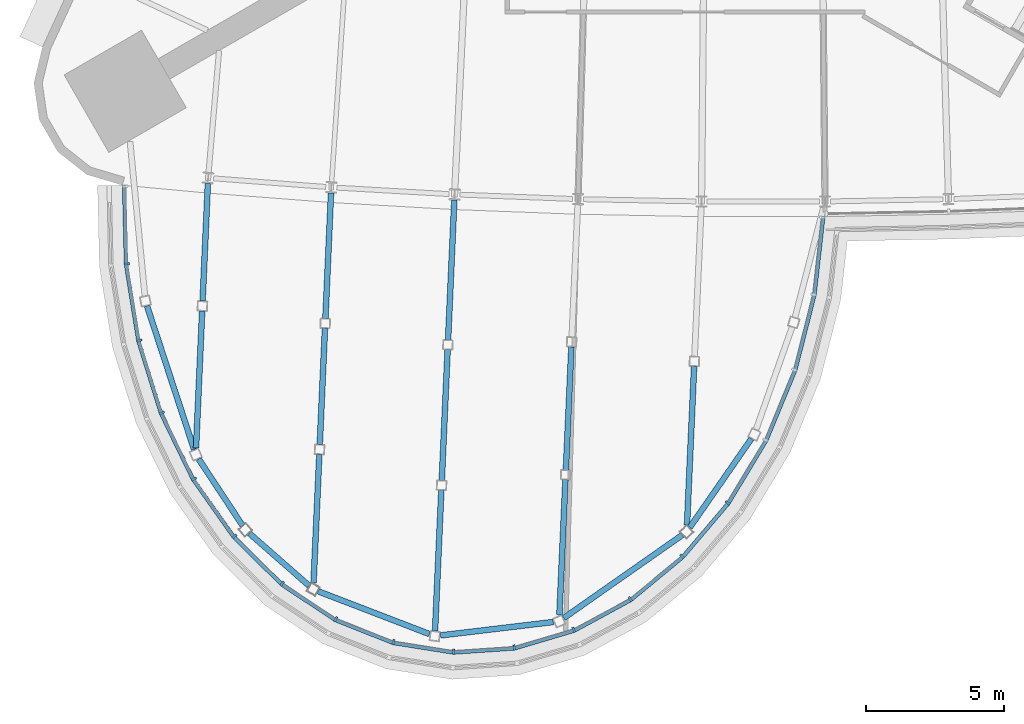
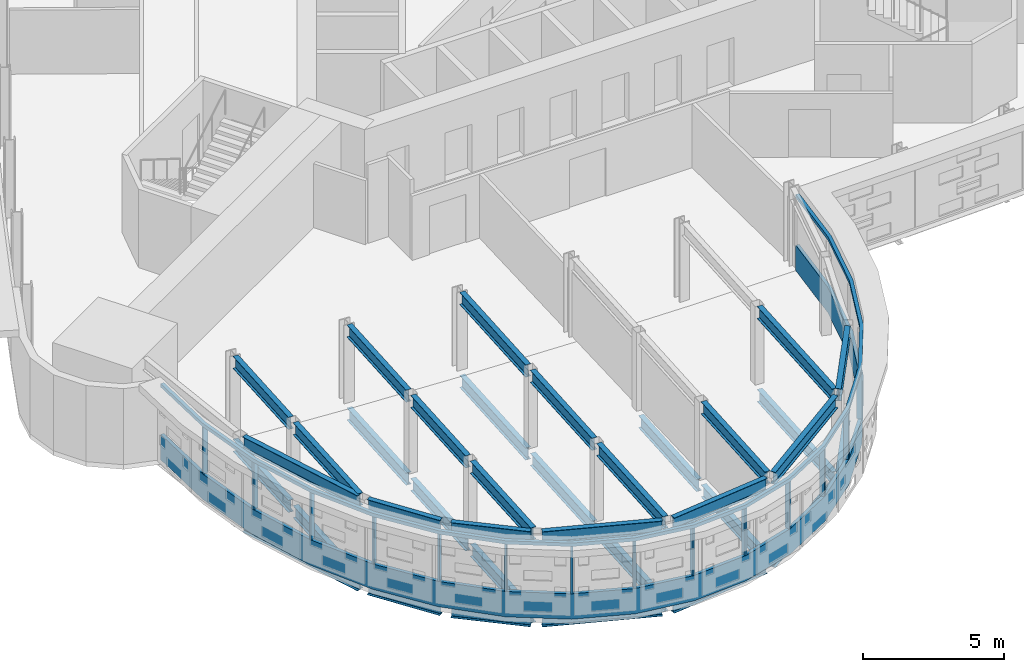
# One storey, part 3 of 16: 35 beams, 16 members, 1 element without a shape of its own.
"""IFC4 building model written with IfcOpenShell, lengths in metres."""

import ifcopenshell
import ifcopenshell.guid

model = None  # the IFC model being written
_history = None  # IfcOwnerHistory: only IFC2X3 demands one
_inside = {}  # id of a spatial element -> (the spatial element, [elements in it])
_under = {}  # id of a project, library or spatial element -> (it, [spatial elements below it])
_declared = {}  # id of a project -> (the project, [libraries it declares])
_typed = {}  # id of a type object -> (the type object, [elements of that type])
_made_of = {}  # id of a material, layer set ... -> (it, [elements and type objects made of it])


def new_model(schema):
    """Start an empty IFC model of exactly this schema.

    Asked for "IFC4X3", IfcOpenShell would pick the latest addendum, in which some entities
    have other attributes; the version numbers below select the first issue.
    IFC2X3 requires an IfcOwnerHistory on every rooted entity: one is made here for all.
    """
    global model, _history
    if schema == "IFC4X3":
        model = ifcopenshell.file(schema_version=(4, 3, 0, 0))
    else:
        model = ifcopenshell.file(schema=schema)
    _inside.clear()
    _under.clear()
    _declared.clear()
    _typed.clear()
    _made_of.clear()
    _history = None
    if model.schema == "IFC2X3":
        org = make("IfcOrganization", Name="unknown")
        user = make(
            "IfcPersonAndOrganization",
            ThePerson=make("IfcPerson", FamilyName="unknown"),
            TheOrganization=org,
        )
        app = make(
            "IfcApplication",
            ApplicationDeveloper=org,
            Version="unknown",
            ApplicationFullName="unknown",
            ApplicationIdentifier="unknown",
        )
        _history = make(
            "IfcOwnerHistory",
            OwningUser=user,
            OwningApplication=app,
            ChangeAction="ADDED",
            CreationDate=0,
        )
    return model


def make(cls, **values):
    """One entity of the class cls with the attributes given. An attribute that is None is left unset."""
    return model.create_entity(
        cls, **{name: value for name, value in values.items() if value is not None}
    )


def rooted(cls, **values):
    """An entity with a GlobalId (a new one), such as an element, a storey or a relation."""
    return make(cls, GlobalId=ifcopenshell.guid.new(), OwnerHistory=_history, **values)


def si_unit(unit_type, name, prefix=None):
    """IfcSIUnit, for example si_unit("LENGTHUNIT", "METRE", prefix="MILLI")."""
    return make("IfcSIUnit", UnitType=unit_type, Prefix=prefix, Name=name)


def assignment(units):
    """IfcUnitAssignment: the units of a project."""
    return None if units is None else make("IfcUnitAssignment", Units=units)


def point(xyz):
    """IfcCartesianPoint."""
    return None if xyz is None else make("IfcCartesianPoint", Coordinates=xyz)


def direction(xyz):
    """IfcDirection."""
    return None if xyz is None else make("IfcDirection", DirectionRatios=xyz)


def frame(location, z_axis=None, x_axis=None):
    """IfcAxis2Placement3D, a coordinate frame: its origin and axes. An axis left out is left unset."""
    return make(
        "IfcAxis2Placement3D",
        Location=point(location),
        Axis=direction(z_axis),
        RefDirection=direction(x_axis),
    )


def frame_2d(location, x_axis=None):
    """IfcAxis2Placement2D, a coordinate frame in the plane: its origin and x axis."""
    return make(
        "IfcAxis2Placement2D", Location=point(location), RefDirection=direction(x_axis)
    )


def origin():
    """The frame at (0, 0, 0) with its axes left unset."""
    return frame((0.0, 0.0, 0.0))


def origin_2d():
    """The frame at (0, 0) in the plane with its x axis left unset."""
    return frame_2d((0.0, 0.0))


def place(relative_to, where):
    """IfcLocalPlacement: puts the frame where relative to a parent placement (None: the world)."""
    return make(
        "IfcLocalPlacement", PlacementRelTo=relative_to, RelativePlacement=where
    )


def context(
    kind, dimensions, precision=None, world=None, true_north=None, identifier=None
):
    """IfcGeometricRepresentationContext, for example the 3D "Model" context."""
    return make(
        "IfcGeometricRepresentationContext",
        ContextIdentifier=identifier,
        ContextType=kind,
        CoordinateSpaceDimension=dimensions,
        Precision=precision,
        WorldCoordinateSystem=world,
        TrueNorth=true_north,
    )


def subcontext(parent, identifier, kind, view, scale=None):
    """IfcGeometricRepresentationSubContext, for example "Body" below "Model"."""
    return make(
        "IfcGeometricRepresentationSubContext",
        ContextIdentifier=identifier,
        ContextType=kind,
        ParentContext=parent,
        TargetScale=scale,
        TargetView=view,
    )


def project(units=None, contexts=None):
    """IfcProject with its units and contexts."""
    return rooted(
        "IfcProject",
        Name="project",
        RepresentationContexts=contexts,
        UnitsInContext=assignment(units),
    )


def spatial(cls, under=None, at=None, **own):
    """A site, building, storey or space (cls), placed at a placement, below another one or the project."""
    s = rooted(cls, ObjectPlacement=at, **own)
    if under is not None:
        _under.setdefault(under.id(), (under, []))[1].append(s)
    return s


def polyline(points):
    """IfcPolyline through the points."""
    return make("IfcPolyline", Points=[point(p) for p in points])


def profile(cls, at=None, kind="AREA", **sizes):
    """A parametric profile (cls). Its sizes go by their IFC names, for example OverallWidth=200.0."""
    return make(cls, ProfileType=kind, Position=at, **sizes)


def rectangle(**sizes):
    """IfcRectangleProfileDef."""
    return profile("IfcRectangleProfileDef", **sizes)


def i_section(**sizes):
    """IfcIShapeProfileDef."""
    return profile("IfcIShapeProfileDef", **sizes)


def outline(outer, holes=None, kind="AREA"):
    """IfcArbitraryClosedProfileDef: a profile drawn as a closed curve; with holes, ...WithVoids."""
    if holes is None:
        return make("IfcArbitraryClosedProfileDef", ProfileType=kind, OuterCurve=outer)
    return make(
        "IfcArbitraryProfileDefWithVoids",
        ProfileType=kind,
        OuterCurve=outer,
        InnerCurves=holes,
    )


def extrude(swept, where, along, depth):
    """IfcExtrudedAreaSolid: the profile swept, set in the frame where, extruded along a direction by depth."""
    return make(
        "IfcExtrudedAreaSolid",
        SweptArea=swept,
        Position=where,
        ExtrudedDirection=direction(along),
        Depth=depth,
    )


def shape(context_of_items, identifier, shape_type, items):
    """IfcShapeRepresentation: the items that make up one representation, for example the "Body"."""
    return make(
        "IfcShapeRepresentation",
        ContextOfItems=context_of_items,
        RepresentationIdentifier=identifier,
        RepresentationType=shape_type,
        Items=items,
    )


def material(Name=None, Category=None):
    """IfcMaterial."""
    return make("IfcMaterial", Name=Name, Category=Category)


def material_profile(
    of_material, cross_section, Name=None, Category=None, Priority=None
):
    """IfcMaterialProfile: a cross section and its material."""
    return make(
        "IfcMaterialProfile",
        Name=Name,
        Material=of_material,
        Profile=cross_section,
        Priority=Priority,
        Category=Category,
    )


def profile_set(profiles, Name=None, composite=None):
    """IfcMaterialProfileSet."""
    return make(
        "IfcMaterialProfileSet",
        Name=Name,
        MaterialProfiles=profiles,
        CompositeProfile=composite,
    )


def made_of(thing, what):
    """Note that an element or type object is made of a material, layer set ...; save() writes the relation."""
    if what is not None:
        _made_of.setdefault(what.id(), (what, []))[1].append(thing)
    return thing


def type_object(cls, material=None, **own):
    """A type object (cls), such as IfcWallType, which elements share."""
    return made_of(rooted(cls, **own), material)


def element(
    cls,
    number,
    at=None,
    inside=None,
    cuts=None,
    type_object=None,
    material=None,
    context=None,
    identifier="Body",
    shape_type=None,
    held_by="IfcProductDefinitionShape",
    body=None,
    shapes=None,
    **own,
):
    """One element of the class cls, such as IfcWall. Its Tag is "e" and its number.

    at: its placement. inside: the storey or other place that contains it. cuts: it is an
    opening in that element (IfcRelVoidsElement). A single representation is given by context,
    identifier, shape_type and body (its items); several are given by shapes. held_by: the class
    of the entity that holds the representations. save() writes the other relations.
    """
    e = rooted(cls, Tag="e%d" % number, ObjectPlacement=at, **own)
    if body is not None:
        shapes = [shape(context, identifier, shape_type, body)]
    if shapes is not None:
        e.Representation = make(held_by, Representations=shapes)
    if inside is not None:
        _inside.setdefault(inside.id(), (inside, []))[1].append(e)
    if cuts is not None:
        rooted(
            "IfcRelVoidsElement", RelatingBuildingElement=cuts, RelatedOpeningElement=e
        )
    if type_object is not None:
        _typed.setdefault(type_object.id(), (type_object, []))[1].append(e)
    return made_of(e, material)


def aggregate(whole, parts):
    """IfcRelAggregates: a whole, such as a stair, and the parts it consists of."""
    return rooted("IfcRelAggregates", RelatingObject=whole, RelatedObjects=parts)


def save(model, path):
    """Write the relations noted so far, then the file.

    IfcRelAggregates (storeys below a building ...), IfcRelContainedInSpatialStructure (elements
    in a storey), IfcRelDefinesByType, IfcRelAssociatesMaterial and IfcRelDeclares: one each for
    every whole, place, type object, material and project.
    """
    for whole, parts in _under.values():
        aggregate(whole, parts)
    for where, things in _inside.values():
        rooted(
            "IfcRelContainedInSpatialStructure",
            RelatedElements=things,
            RelatingStructure=where,
        )
    for kind, things in _typed.values():
        rooted("IfcRelDefinesByType", RelatedObjects=things, RelatingType=kind)
    for what, things in _made_of.values():
        rooted("IfcRelAssociatesMaterial", RelatedObjects=things, RelatingMaterial=what)
    for by, libraries in _declared.values():
        rooted("IfcRelDeclares", RelatingContext=by, RelatedDefinitions=libraries)
    model.write(path)


model = new_model("IFC4")

# Units and contexts
model_context = context("Model", 3, precision=1e-05, world=origin(), true_north=direction((0.0, 1.0)))
body_context = subcontext(model_context, "Body", "Model", "MODEL_VIEW")
ifc_project = project(units=[si_unit("LENGTHUNIT", "METRE"), si_unit("AREAUNIT", "SQUARE_METRE"), si_unit("VOLUMEUNIT", "CUBIC_METRE"), si_unit("PLANEANGLEUNIT", "RADIAN"), si_unit("MASSUNIT", "GRAM", prefix="KILO")], contexts=[model_context])

# Site, building, storey
site_placement = place(None, origin())
site = spatial("IfcSite", under=ifc_project, at=site_placement, CompositionType="ELEMENT")
building_placement = place(site_placement, origin())
building = spatial("IfcBuilding", under=site, at=building_placement, Name="Noor Cloister Tower", CompositionType="ELEMENT")
storey_placement = place(building_placement, frame((0.0, 0.0, 65.39990234375)))
storey = spatial("IfcBuildingStorey", under=building, at=storey_placement, Name="L16", CompositionType="ELEMENT", Elevation=65.39990234375)

# Curtain wall, members
ifc_material_1 = material(Name="Aluminium 6063-T6 anodised", Category="aluminium")
curtain_wall_type = type_object("IfcCurtainWallType", Name="Sky bar curtain wall, lower bars CW2", PredefinedType="NOTDEFINED", material=ifc_material_1)
curtain_wall_placement = place(storey_placement, origin())
curtain_wall = element("IfcCurtainWall", 1, at=curtain_wall_placement, inside=storey, type_object=curtain_wall_type, Name="CW2 L16 S sky bar run 2", PredefinedType="NOTDEFINED")
ifc_material_2 = material(Name="Aluminium 6063-T6 anodised", Category="aluminium")
member_type_1 = type_object("IfcMemberType", Name="Head transom CW2 150", PredefinedType="USERDEFINED", material=ifc_material_2)
member_1_placement = place(storey_placement, frame((0.0, 0.0, 3.150146484375)))
member_1 = element("IfcMember", 2, at=member_1_placement, type_object=member_type_1, Name="CW2 head transom", ObjectType="TRANSOM", PredefinedType="USERDEFINED", context=body_context, shape_type="SweptSolid", body=[
    extrude(outline(polyline([(-23.29736328125, -16.80029296875), (-23.2314453125, -19.67138671875), (-22.779296875, -22.472412109375), (-21.954833984375, -25.11865234375), (-20.783203125, -27.529541015625), (-19.299560546875, -29.6318359375), (-17.549560546875, -31.361328125), (-15.5859375, -32.666015625), (-13.468505859375, -33.506103515625), (-11.26171875, -33.855712890625), (-9.0322265625, -33.70458984375), (-6.84814453125, -33.05712890625), (-4.77587890625, -31.933349609375), (-2.878173828125, -30.366943359375), (-1.212890625, -28.40576171875), (0.169677734375, -26.109130859375), (1.227294921875, -23.54736328125), (1.927734375, -20.797607421875), (2.25, -17.944091796875), (2.11083984375, -17.928466796875), (1.789794921875, -20.7724609375), (1.093994140625, -23.503173828125), (0.044189453125, -26.046142578125), (-1.326904296875, -28.32373046875), (-2.976806640625, -30.266845703125), (-4.8544921875, -31.816650390625), (-6.902099609375, -32.92724609375), (-9.05712890625, -33.56591796875), (-11.25537109375, -33.71484375), (-13.431396484375, -33.3701171875), (-15.520751953125, -32.541259765625), (-17.460693359375, -31.252197265625), (-19.1923828125, -29.540771484375), (-20.662109375, -27.4580078125), (-21.824462890625, -25.06689453125), (-22.642578125, -22.4404296875), (-23.091552734375, -19.658447265625), (-23.1572265625, -16.797119140625), (-23.29736328125, -16.80029296875)])), origin(), (0.0, 0.0, 1.0), 0.14990234375),
])
ifc_material_3 = material(Name="Aluminium 6063-T6 anodised", Category="aluminium")
ifc_material_profile_1 = material_profile(ifc_material_3, rectangle(XDim=0.199951171875, YDim=0.080078125, at=origin_2d()), Name="200 x 80 mullion")
ifc_profile_set_1 = profile_set([ifc_material_profile_1], Name="Aluminium 6063-T6 anodised")
member_type_2 = type_object("IfcMemberType", Name="Mullion CW2 80 x 200", PredefinedType="MULLION", material=ifc_profile_set_1)
member_2_placement = place(storey_placement, frame((-23.131591796875, -19.662109375, 1.10009765625), z_axis=(0.0, 0.0, 1.0), x_axis=(0.995819098609, 0.091347265121, 0.0)))
member_2 = element("IfcMember", 3, at=member_2_placement, type_object=member_type_2, Name="CW2 mullion 2", PredefinedType="MULLION", context=body_context, shape_type="SweptSolid", body=[
    extrude(rectangle(XDim=0.199951171875, YDim=0.080078125, at=origin_2d()), origin(), (0.0, 0.0, 1.0), 2.050048828125),
])
member_3_placement = place(storey_placement, frame((-22.681640625, -22.449462890625, 1.10009765625), z_axis=(0.0, 0.0, 1.0), x_axis=(0.973436544344, 0.228956970053, 0.0)))
member_3 = element("IfcMember", 4, at=member_3_placement, type_object=member_type_2, Name="CW2 mullion 3", PredefinedType="MULLION", context=body_context, shape_type="SweptSolid", body=[
    extrude(rectangle(XDim=0.199951171875, YDim=0.080078125, at=origin_2d()), origin(), (0.0, 0.0, 1.0), 2.050048828125),
])
member_4_placement = place(storey_placement, frame((-21.861572265625, -25.081787109375, 1.10009765625), z_axis=(0.0, 0.0, 1.0), x_axis=(0.929693335722, 0.368334496775, 0.0)))
member_4 = element("IfcMember", 5, at=member_4_placement, type_object=member_type_2, Name="CW2 mullion 4", PredefinedType="MULLION", context=body_context, shape_type="SweptSolid", body=[
    extrude(rectangle(XDim=0.199951171875, YDim=0.080078125, at=origin_2d()), origin(), (0.0, 0.0, 1.0), 2.050048828125),
])
member_5_placement = place(storey_placement, frame((-20.69677734375, -27.478515625, 1.10009765625), z_axis=(0.0, 0.0, 1.0), x_axis=(0.861046227696, 0.508526689339, 0.0)))
member_5 = element("IfcMember", 6, at=member_5_placement, type_object=member_type_2, Name="CW2 mullion 5", PredefinedType="MULLION", context=body_context, shape_type="SweptSolid", body=[
    extrude(rectangle(XDim=0.199951171875, YDim=0.080078125, at=origin_2d()), origin(), (0.0, 0.0, 1.0), 2.050048828125),
])
member_6_placement = place(storey_placement, frame((-19.22314453125, -29.56689453125, 1.10009765625), z_axis=(0.0, 0.0, 1.0), x_axis=(0.762969968702, 0.646433930777, 0.0)))
member_6 = element("IfcMember", 7, at=member_6_placement, type_object=member_type_2, Name="CW2 mullion 6", PredefinedType="MULLION", context=body_context, shape_type="SweptSolid", body=[
    extrude(rectangle(XDim=0.199951171875, YDim=0.080078125, at=origin_2d()), origin(), (0.0, 0.0, 1.0), 2.050048828125),
])
member_7_placement = place(storey_placement, frame((-17.486083984375, -31.283447265625, 1.10009765625), z_axis=(0.0, 0.0, 1.0), x_axis=(0.631107253283, 0.775695581304, 0.0)))
member_7 = element("IfcMember", 8, at=member_7_placement, type_object=member_type_2, Name="CW2 mullion 7", PredefinedType="MULLION", context=body_context, shape_type="SweptSolid", body=[
    extrude(rectangle(XDim=0.199951171875, YDim=0.080078125, at=origin_2d()), origin(), (0.0, 0.0, 1.0), 2.050048828125),
])
member_8_placement = place(storey_placement, frame((-15.539306640625, -32.576904296875, 1.10009765625), z_axis=(0.0, 0.0, 1.0), x_axis=(0.463586406363, 0.886051716231, 0.0)))
member_8 = element("IfcMember", 9, at=member_8_placement, type_object=member_type_2, Name="CW2 mullion 8", PredefinedType="MULLION", context=body_context, shape_type="SweptSolid", body=[
    extrude(rectangle(XDim=0.199951171875, YDim=0.080078125, at=origin_2d()), origin(), (0.0, 0.0, 1.0), 2.050048828125),
])
member_9_placement = place(storey_placement, frame((-13.44189453125, -33.408935546875, 1.10009765625), z_axis=(0.0, 0.0, 1.0), x_axis=(0.264225887671, 0.964460823613, 0.0)))
member_9 = element("IfcMember", 10, at=member_9_placement, type_object=member_type_2, Name="CW2 mullion 9", PredefinedType="MULLION", context=body_context, shape_type="SweptSolid", body=[
    extrude(rectangle(XDim=0.199951171875, YDim=0.080078125, at=origin_2d()), origin(), (0.0, 0.0, 1.0), 2.050048828125),
])
member_10_placement = place(storey_placement, frame((-11.257080078125, -33.755126953125, 1.10009765625), z_axis=(0.0, 0.0, 1.0), x_axis=(0.044724270619, 0.998999369178, 0.0)))
member_10 = element("IfcMember", 11, at=member_10_placement, type_object=member_type_2, Name="CW2 mullion 10", PredefinedType="MULLION", context=body_context, shape_type="SweptSolid", body=[
    extrude(rectangle(XDim=0.199951171875, YDim=0.080078125, at=origin_2d()), origin(), (0.0, 0.0, 1.0), 2.050048828125),
])
member_11_placement = place(storey_placement, frame((-9.050048828125, -33.60546875, 1.10009765625), z_axis=(0.0, 0.0, 1.0), x_axis=(-0.176985556802, 0.984213448741, 0.0)))
member_11 = element("IfcMember", 12, at=member_11_placement, type_object=member_type_2, Name="CW2 mullion 11", PredefinedType="MULLION", context=body_context, shape_type="SweptSolid", body=[
    extrude(rectangle(XDim=0.199951171875, YDim=0.080078125, at=origin_2d()), origin(), (0.0, 0.0, 1.0), 2.050048828125),
])
member_12_placement = place(storey_placement, frame((-6.88671875, -32.96435546875, 1.10009765625), z_axis=(0.0, 0.0, 1.0), x_axis=(-0.38255509187, 0.923932682442, 0.0)))
member_12 = element("IfcMember", 13, at=member_12_placement, type_object=member_type_2, Name="CW2 mullion 12", PredefinedType="MULLION", context=body_context, shape_type="SweptSolid", body=[
    extrude(rectangle(XDim=0.199951171875, YDim=0.080078125, at=origin_2d()), origin(), (0.0, 0.0, 1.0), 2.050048828125),
])
member_13_placement = place(storey_placement, frame((-4.83203125, -31.85009765625, 1.10009765625), z_axis=(0.0, 0.0, 1.0), x_axis=(-0.559267086026, 0.82898753096, 0.0)))
member_13 = element("IfcMember", 14, at=member_13_placement, type_object=member_type_2, Name="CW2 mullion 13", PredefinedType="MULLION", context=body_context, shape_type="SweptSolid", body=[
    extrude(rectangle(XDim=0.199951171875, YDim=0.080078125, at=origin_2d()), origin(), (0.0, 0.0, 1.0), 2.050048828125),
])
member_14_placement = place(storey_placement, frame((-2.94873046875, -30.29541015625, 1.10009765625), z_axis=(0.0, 0.0, 1.0), x_axis=(-0.702152978432, 0.71202611952, 0.0)))
member_14 = element("IfcMember", 15, at=member_14_placement, type_object=member_type_2, Name="CW2 mullion 14", PredefinedType="MULLION", context=body_context, shape_type="SweptSolid", body=[
    extrude(rectangle(XDim=0.199951171875, YDim=0.080078125, at=origin_2d()), origin(), (0.0, 0.0, 1.0), 2.050048828125),
])
member_15_placement = place(storey_placement, frame((-1.29443359375, -28.34716796875, 1.10009765625), z_axis=(0.0, 0.0, 1.0), x_axis=(-0.812160129323, 0.583434593025, 0.0)))
member_15 = element("IfcMember", 16, at=member_15_placement, type_object=member_type_2, Name="CW2 mullion 15", PredefinedType="MULLION", context=body_context, shape_type="SweptSolid", body=[
    extrude(rectangle(XDim=0.199951171875, YDim=0.080078125, at=origin_2d()), origin(), (0.0, 0.0, 1.0), 2.050048828125),
])

# Beams
ifc_material_4 = material(Name="Steel ASTM A992 Gr 50", Category="steel")
ifc_material_profile_2 = material_profile(ifc_material_4, i_section(OverallWidth=0.208984375, OverallDepth=0.532958984375, WebThickness=0.01025390625, FlangeThickness=0.015625, FilletRadius=0.0126953125, at=origin_2d()), Name="W530x92")
ifc_profile_set_2 = profile_set([ifc_material_profile_2], Name="Steel ASTM A992 Gr 50")
beam_type = type_object("IfcBeamType", Name="Pod floor beam W530x92", PredefinedType="BEAM", material=ifc_profile_set_2)
beam_1_placement = place(storey_placement, frame((-20.187255859375, -16.74462890625, -0.46630859375), z_axis=(-0.0447185403, -0.998999625702, 0.0), x_axis=(0.998999625702, -0.0447185403, 0.0)))
element("IfcBeam", 17, at=beam_1_placement, inside=storey, type_object=beam_type, Name="Pod floor beam 1 L16 line 1 span 1", PredefinedType="BEAM", context=body_context, shape_type="SweptSolid", body=[
    extrude(i_section(OverallWidth=0.208984375, OverallDepth=0.532958984375, WebThickness=0.01025390625, FlangeThickness=0.015625, FilletRadius=0.0126953125, at=origin_2d()), origin(), (0.0, 0.0, 1.0), 4.27490234375),
])
beam_2_placement = place(storey_placement, frame((-20.394287109375, -21.370849609375, -0.46630859375), z_axis=(-0.044697027211, -0.999000588468, 0.0), x_axis=(0.999000588468, -0.044697027211, 0.0)))
element("IfcBeam", 18, at=beam_2_placement, inside=storey, type_object=beam_type, Name="Pod floor beam 1 L16 line 1 span 2", PredefinedType="BEAM", context=body_context, shape_type="SweptSolid", body=[
    extrude(i_section(OverallWidth=0.208984375, OverallDepth=0.532958984375, WebThickness=0.01025390625, FlangeThickness=0.015625, FilletRadius=0.0126953125, at=origin_2d()), origin(), (0.0, 0.0, 1.0), 4.98681640625),
])
beam_3_placement = place(storey_placement, frame((-15.710693359375, -17.0849609375, -0.46630859375), z_axis=(-0.044713773715, -0.998999839059, 0.0), x_axis=(0.998999839059, -0.044713773715, 0.0)))
element("IfcBeam", 19, at=beam_3_placement, inside=storey, type_object=beam_type, Name="Pod floor beam 1 L16 line 2 span 1", PredefinedType="BEAM", context=body_context, shape_type="SweptSolid", body=[
    extrude(i_section(OverallWidth=0.208984375, OverallDepth=0.532958984375, WebThickness=0.01025390625, FlangeThickness=0.015625, FilletRadius=0.0126953125, at=origin_2d()), origin(), (0.0, 0.0, 1.0), 4.564697265625),
])
beam_4_placement = place(storey_placement, frame((-15.930908203125, -22.000732421875, -0.46630859375), z_axis=(-0.044711535741, -0.998999939225, 0.0), x_axis=(0.998999939225, -0.044711535741, 0.0)))
element("IfcBeam", 20, at=beam_4_placement, inside=storey, type_object=beam_type, Name="Pod floor beam 1 L16 line 2 span 2", PredefinedType="BEAM", context=body_context, shape_type="SweptSolid", body=[
    extrude(i_section(OverallWidth=0.208984375, OverallDepth=0.532958984375, WebThickness=0.01025390625, FlangeThickness=0.015625, FilletRadius=0.0126953125, at=origin_2d()), origin(), (0.0, 0.0, 1.0), 4.231689453125),
])
beam_5_placement = place(storey_placement, frame((-16.135986328125, -26.583984375, -0.46630859375), z_axis=(-0.04474452191, -0.998998462341, 0.0), x_axis=(0.998998462341, -0.04474452191, 0.0)))
element("IfcBeam", 21, at=beam_5_placement, inside=storey, type_object=beam_type, Name="Pod floor beam 1 L16 line 2 span 3", PredefinedType="BEAM", context=body_context, shape_type="SweptSolid", body=[
    extrude(i_section(OverallWidth=0.208984375, OverallDepth=0.532958984375, WebThickness=0.01025390625, FlangeThickness=0.015625, FilletRadius=0.0126953125, at=origin_2d()), origin(), (0.0, 0.0, 1.0), 4.676025390625),
])
beam_6_placement = place(storey_placement, frame((-11.228515625, -17.340087890625, -0.46630859375), z_axis=(-0.044728441489, -0.998999182443, 0.0), x_axis=(0.998999182443, -0.044728441489, 0.0)))
element("IfcBeam", 22, at=beam_6_placement, inside=storey, type_object=beam_type, Name="Pod floor beam 1 L16 line 3 span 1", PredefinedType="BEAM", context=body_context, shape_type="SweptSolid", body=[
    extrude(i_section(OverallWidth=0.208984375, OverallDepth=0.532958984375, WebThickness=0.01025390625, FlangeThickness=0.015625, FilletRadius=0.0126953125, at=origin_2d()), origin(), (0.0, 0.0, 1.0), 5.087158203125),
])
beam_7_placement = place(storey_placement, frame((-11.471923828125, -22.77783203125, -0.46630859375), z_axis=(-0.044758060439, -0.998997855866, 0.0), x_axis=(0.998997855866, -0.044758060439, 0.0)))
element("IfcBeam", 23, at=beam_7_placement, inside=storey, type_object=beam_type, Name="Pod floor beam 1 L16 line 3 span 2", PredefinedType="BEAM", context=body_context, shape_type="SweptSolid", body=[
    extrude(i_section(OverallWidth=0.208984375, OverallDepth=0.532958984375, WebThickness=0.01025390625, FlangeThickness=0.015625, FilletRadius=0.0126953125, at=origin_2d()), origin(), (0.0, 0.0, 1.0), 4.756591796875),
])
beam_8_placement = place(storey_placement, frame((-11.70068359375, -27.885009765625, -0.46630859375), z_axis=(-0.044735558828, -0.998998863751, 0.0), x_axis=(0.998998863751, -0.044735558828, 0.0)))
element("IfcBeam", 24, at=beam_8_placement, inside=storey, type_object=beam_type, Name="Pod floor beam 1 L16 line 3 span 3", PredefinedType="BEAM", context=body_context, shape_type="SweptSolid", body=[
    extrude(i_section(OverallWidth=0.208984375, OverallDepth=0.532958984375, WebThickness=0.01025390625, FlangeThickness=0.015625, FilletRadius=0.0126953125, at=origin_2d()), origin(), (0.0, 0.0, 1.0), 5.12451171875),
])
beam_9_placement = place(storey_placement, frame((-6.9736328125, -22.6748046875, -0.46630859375), z_axis=(-0.044693143381, -0.999000762229, 0.0), x_axis=(0.999000762229, -0.044693143381, 0.0)))
element("IfcBeam", 25, at=beam_9_placement, inside=storey, type_object=beam_type, Name="Pod floor beam 1 L16 line 4 span 2", PredefinedType="BEAM", context=body_context, shape_type="SweptSolid", body=[
    extrude(i_section(OverallWidth=0.208984375, OverallDepth=0.532958984375, WebThickness=0.01025390625, FlangeThickness=0.015625, FilletRadius=0.0126953125, at=origin_2d()), origin(), (0.0, 0.0, 1.0), 4.479248046875),
])
beam_10_placement = place(storey_placement, frame((-7.18994140625, -27.505126953125, -0.46630859375), z_axis=(-0.044691358875, -0.999000842063, 0.0), x_axis=(0.999000842063, -0.044691358875, 0.0)))
element("IfcBeam", 26, at=beam_10_placement, inside=storey, type_object=beam_type, Name="Pod floor beam 1 L16 line 4 span 3", PredefinedType="BEAM", context=body_context, shape_type="SweptSolid", body=[
    extrude(i_section(OverallWidth=0.208984375, OverallDepth=0.532958984375, WebThickness=0.01025390625, FlangeThickness=0.015625, FilletRadius=0.0126953125, at=origin_2d()), origin(), (0.0, 0.0, 1.0), 4.91650390625),
])
beam_11_placement = place(storey_placement, frame((-2.5126953125, -23.38232421875, -0.46630859375), z_axis=(-0.044757741866, -0.998997870139, 0.0), x_axis=(0.998997870139, -0.044757741866, 0.0)))
element("IfcBeam", 27, at=beam_11_placement, inside=storey, type_object=beam_type, Name="Pod floor beam 1 L16 line 5 span 2", PredefinedType="BEAM", context=body_context, shape_type="SweptSolid", body=[
    extrude(i_section(OverallWidth=0.208984375, OverallDepth=0.532958984375, WebThickness=0.01025390625, FlangeThickness=0.015625, FilletRadius=0.0126953125, at=origin_2d()), origin(), (0.0, 0.0, 1.0), 5.776611328125),
])
beam_12_placement = place(storey_placement, frame((-22.398681640625, -21.191162109375, -0.46630859375), z_axis=(0.311611186765, -0.950209697005, 0.0), x_axis=(0.950209697005, 0.311611186765, 0.0)))
element("IfcBeam", 28, at=beam_12_placement, inside=storey, type_object=beam_type, Name="Pod floor beam 1 L16 ring 2", PredefinedType="BEAM", context=body_context, shape_type="SweptSolid", body=[
    extrude(i_section(OverallWidth=0.208984375, OverallDepth=0.532958984375, WebThickness=0.01025390625, FlangeThickness=0.015625, FilletRadius=0.0126953125, at=origin_2d()), origin(), (0.0, 0.0, 1.0), 5.49365234375),
])
beam_13_placement = place(storey_placement, frame((-20.5185546875, -26.75634765625, -0.46630859375), z_axis=(0.550385618735, -0.834910576463, 0.0), x_axis=(0.834910576463, 0.550385618735, 0.0)))
element("IfcBeam", 29, at=beam_13_placement, inside=storey, type_object=beam_type, Name="Pod floor beam 1 L16 ring 3", PredefinedType="BEAM", context=body_context, shape_type="SweptSolid", body=[
    extrude(i_section(OverallWidth=0.208984375, OverallDepth=0.532958984375, WebThickness=0.01025390625, FlangeThickness=0.015625, FilletRadius=0.0126953125, at=origin_2d()), origin(), (0.0, 0.0, 1.0), 2.890869140625),
])
beam_14_placement = place(storey_placement, frame((-18.67529296875, -29.459228515625, -0.46630859375), z_axis=(0.751694263703, -0.659511739029, 0.0), x_axis=(0.659511739029, 0.751694263703, 0.0)))
element("IfcBeam", 30, at=beam_14_placement, inside=storey, type_object=beam_type, Name="Pod floor beam 1 L16 ring 4", PredefinedType="BEAM", context=body_context, shape_type="SweptSolid", body=[
    extrude(i_section(OverallWidth=0.208984375, OverallDepth=0.532958984375, WebThickness=0.01025390625, FlangeThickness=0.015625, FilletRadius=0.0126953125, at=origin_2d()), origin(), (0.0, 0.0, 1.0), 2.881591796875),
])
beam_15_placement = place(storey_placement, frame((-16.173828125, -31.564208984375, -0.46630859375), z_axis=(0.933461837058, -0.358676732944, 0.0), x_axis=(0.358676732944, 0.933461837058, 0.0)))
element("IfcBeam", 31, at=beam_15_placement, inside=storey, type_object=beam_type, Name="Pod floor beam 1 L16 ring 5", PredefinedType="BEAM", context=body_context, shape_type="SweptSolid", body=[
    extrude(i_section(OverallWidth=0.208984375, OverallDepth=0.532958984375, WebThickness=0.01025390625, FlangeThickness=0.015625, FilletRadius=0.0126953125, at=origin_2d()), origin(), (0.0, 0.0, 1.0), 4.3291015625),
])
beam_16_placement = place(storey_placement, frame((-11.729736328125, -33.166748046875, -0.46630859375), z_axis=(0.992972554467, 0.118344860791, 0.0), x_axis=(-0.118344860791, 0.992972554467, 0.0)))
element("IfcBeam", 32, at=beam_16_placement, inside=storey, type_object=beam_type, Name="Pod floor beam 1 L16 ring 6", PredefinedType="BEAM", context=body_context, shape_type="SweptSolid", body=[
    extrude(i_section(OverallWidth=0.208984375, OverallDepth=0.532958984375, WebThickness=0.01025390625, FlangeThickness=0.015625, FilletRadius=0.0126953125, at=origin_2d()), origin(), (0.0, 0.0, 1.0), 4.1259765625),
])
beam_17_placement = place(storey_placement, frame((-7.251953125, -32.53515625, -0.46630859375), z_axis=(0.819042197603, 0.573733281714, 0.0), x_axis=(-0.573733281714, 0.819042197603, 0.0)))
element("IfcBeam", 33, at=beam_17_placement, inside=storey, type_object=beam_type, Name="Pod floor beam 1 L16 ring 7", PredefinedType="BEAM", context=body_context, shape_type="SweptSolid", body=[
    extrude(i_section(OverallWidth=0.208984375, OverallDepth=0.532958984375, WebThickness=0.01025390625, FlangeThickness=0.015625, FilletRadius=0.0126953125, at=origin_2d()), origin(), (0.0, 0.0, 1.0), 5.2607421875),
])
beam_18_placement = place(storey_placement, frame((-2.666748046875, -29.23779296875, -0.46630859375), z_axis=(0.57017855678, 0.821520793035, 0.0), x_axis=(-0.821520793035, 0.57017855678, 0.0)))
element("IfcBeam", 34, at=beam_18_placement, inside=storey, type_object=beam_type, Name="Pod floor beam 1 L16 ring 8", PredefinedType="BEAM", context=body_context, shape_type="SweptSolid", body=[
    extrude(i_section(OverallWidth=0.208984375, OverallDepth=0.532958984375, WebThickness=0.01025390625, FlangeThickness=0.015625, FilletRadius=0.0126953125, at=origin_2d()), origin(), (0.0, 0.0, 1.0), 3.91748046875),
])
beam_19_placement = place(storey_placement, frame((-20.187255859375, -16.74462890625, 3.133544921875), z_axis=(-0.0447185403, -0.998999625702, 0.0), x_axis=(0.998999625702, -0.0447185403, 0.0)))
element("IfcBeam", 35, at=beam_19_placement, inside=storey, type_object=beam_type, Name="Pod floor beam 1 L17 line 1 span 1", PredefinedType="BEAM", context=body_context, shape_type="SweptSolid", body=[
    extrude(i_section(OverallWidth=0.208984375, OverallDepth=0.532958984375, WebThickness=0.01025390625, FlangeThickness=0.015625, FilletRadius=0.0126953125, at=origin_2d()), origin(), (0.0, 0.0, 1.0), 4.27490234375),
])
beam_20_placement = place(storey_placement, frame((-20.394287109375, -21.370849609375, 3.133544921875), z_axis=(-0.044697027211, -0.999000588468, 0.0), x_axis=(0.999000588468, -0.044697027211, 0.0)))
element("IfcBeam", 36, at=beam_20_placement, inside=storey, type_object=beam_type, Name="Pod floor beam 1 L17 line 1 span 2", PredefinedType="BEAM", context=body_context, shape_type="SweptSolid", body=[
    extrude(i_section(OverallWidth=0.208984375, OverallDepth=0.532958984375, WebThickness=0.01025390625, FlangeThickness=0.015625, FilletRadius=0.0126953125, at=origin_2d()), origin(), (0.0, 0.0, 1.0), 4.98681640625),
])
beam_21_placement = place(storey_placement, frame((-15.710693359375, -17.0849609375, 3.133544921875), z_axis=(-0.044713773715, -0.998999839059, 0.0), x_axis=(0.998999839059, -0.044713773715, 0.0)))
element("IfcBeam", 37, at=beam_21_placement, inside=storey, type_object=beam_type, Name="Pod floor beam 1 L17 line 2 span 1", PredefinedType="BEAM", context=body_context, shape_type="SweptSolid", body=[
    extrude(i_section(OverallWidth=0.208984375, OverallDepth=0.532958984375, WebThickness=0.01025390625, FlangeThickness=0.015625, FilletRadius=0.0126953125, at=origin_2d()), origin(), (0.0, 0.0, 1.0), 4.564697265625),
])
beam_22_placement = place(storey_placement, frame((-15.930908203125, -22.000732421875, 3.133544921875), z_axis=(-0.044711535741, -0.998999939225, 0.0), x_axis=(0.998999939225, -0.044711535741, 0.0)))
element("IfcBeam", 38, at=beam_22_placement, inside=storey, type_object=beam_type, Name="Pod floor beam 1 L17 line 2 span 2", PredefinedType="BEAM", context=body_context, shape_type="SweptSolid", body=[
    extrude(i_section(OverallWidth=0.208984375, OverallDepth=0.532958984375, WebThickness=0.01025390625, FlangeThickness=0.015625, FilletRadius=0.0126953125, at=origin_2d()), origin(), (0.0, 0.0, 1.0), 4.231689453125),
])
beam_23_placement = place(storey_placement, frame((-16.135986328125, -26.583984375, 3.133544921875), z_axis=(-0.04474452191, -0.998998462341, 0.0), x_axis=(0.998998462341, -0.04474452191, 0.0)))
element("IfcBeam", 39, at=beam_23_placement, inside=storey, type_object=beam_type, Name="Pod floor beam 1 L17 line 2 span 3", PredefinedType="BEAM", context=body_context, shape_type="SweptSolid", body=[
    extrude(i_section(OverallWidth=0.208984375, OverallDepth=0.532958984375, WebThickness=0.01025390625, FlangeThickness=0.015625, FilletRadius=0.0126953125, at=origin_2d()), origin(), (0.0, 0.0, 1.0), 4.676025390625),
])
beam_24_placement = place(storey_placement, frame((-11.228515625, -17.340087890625, 3.133544921875), z_axis=(-0.044728441489, -0.998999182443, 0.0), x_axis=(0.998999182443, -0.044728441489, 0.0)))
element("IfcBeam", 40, at=beam_24_placement, inside=storey, type_object=beam_type, Name="Pod floor beam 1 L17 line 3 span 1", PredefinedType="BEAM", context=body_context, shape_type="SweptSolid", body=[
    extrude(i_section(OverallWidth=0.208984375, OverallDepth=0.532958984375, WebThickness=0.01025390625, FlangeThickness=0.015625, FilletRadius=0.0126953125, at=origin_2d()), origin(), (0.0, 0.0, 1.0), 5.087158203125),
])
beam_25_placement = place(storey_placement, frame((-11.471923828125, -22.77783203125, 3.133544921875), z_axis=(-0.044758060439, -0.998997855866, 0.0), x_axis=(0.998997855866, -0.044758060439, 0.0)))
element("IfcBeam", 41, at=beam_25_placement, inside=storey, type_object=beam_type, Name="Pod floor beam 1 L17 line 3 span 2", PredefinedType="BEAM", context=body_context, shape_type="SweptSolid", body=[
    extrude(i_section(OverallWidth=0.208984375, OverallDepth=0.532958984375, WebThickness=0.01025390625, FlangeThickness=0.015625, FilletRadius=0.0126953125, at=origin_2d()), origin(), (0.0, 0.0, 1.0), 4.756591796875),
])
beam_26_placement = place(storey_placement, frame((-11.70068359375, -27.885009765625, 3.133544921875), z_axis=(-0.044735558828, -0.998998863751, 0.0), x_axis=(0.998998863751, -0.044735558828, 0.0)))
element("IfcBeam", 42, at=beam_26_placement, inside=storey, type_object=beam_type, Name="Pod floor beam 1 L17 line 3 span 3", PredefinedType="BEAM", context=body_context, shape_type="SweptSolid", body=[
    extrude(i_section(OverallWidth=0.208984375, OverallDepth=0.532958984375, WebThickness=0.01025390625, FlangeThickness=0.015625, FilletRadius=0.0126953125, at=origin_2d()), origin(), (0.0, 0.0, 1.0), 5.12451171875),
])
beam_27_placement = place(storey_placement, frame((-7.18994140625, -27.505126953125, 3.133544921875), z_axis=(-0.044691358875, -0.999000842063, 0.0), x_axis=(0.999000842063, -0.044691358875, 0.0)))
element("IfcBeam", 43, at=beam_27_placement, inside=storey, type_object=beam_type, Name="Pod floor beam 1 L17 line 4 span 3", PredefinedType="BEAM", context=body_context, shape_type="SweptSolid", body=[
    extrude(i_section(OverallWidth=0.208984375, OverallDepth=0.532958984375, WebThickness=0.01025390625, FlangeThickness=0.015625, FilletRadius=0.0126953125, at=origin_2d()), origin(), (0.0, 0.0, 1.0), 4.91650390625),
])
beam_28_placement = place(storey_placement, frame((-2.5126953125, -23.38232421875, 3.133544921875), z_axis=(-0.044757741866, -0.998997870139, 0.0), x_axis=(0.998997870139, -0.044757741866, 0.0)))
element("IfcBeam", 44, at=beam_28_placement, inside=storey, type_object=beam_type, Name="Pod floor beam 1 L17 line 5 span 2", PredefinedType="BEAM", context=body_context, shape_type="SweptSolid", body=[
    extrude(i_section(OverallWidth=0.208984375, OverallDepth=0.532958984375, WebThickness=0.01025390625, FlangeThickness=0.015625, FilletRadius=0.0126953125, at=origin_2d()), origin(), (0.0, 0.0, 1.0), 5.776611328125),
])
beam_29_placement = place(storey_placement, frame((-22.398681640625, -21.191162109375, 3.133544921875), z_axis=(0.311611186765, -0.950209697005, 0.0), x_axis=(0.950209697005, 0.311611186765, 0.0)))
element("IfcBeam", 45, at=beam_29_placement, inside=storey, type_object=beam_type, Name="Pod floor beam 1 L17 ring 2", PredefinedType="BEAM", context=body_context, shape_type="SweptSolid", body=[
    extrude(i_section(OverallWidth=0.208984375, OverallDepth=0.532958984375, WebThickness=0.01025390625, FlangeThickness=0.015625, FilletRadius=0.0126953125, at=origin_2d()), origin(), (0.0, 0.0, 1.0), 5.49365234375),
])
beam_30_placement = place(storey_placement, frame((-20.5185546875, -26.75634765625, 3.133544921875), z_axis=(0.550385618735, -0.834910576463, 0.0), x_axis=(0.834910576463, 0.550385618735, 0.0)))
element("IfcBeam", 46, at=beam_30_placement, inside=storey, type_object=beam_type, Name="Pod floor beam 1 L17 ring 3", PredefinedType="BEAM", context=body_context, shape_type="SweptSolid", body=[
    extrude(i_section(OverallWidth=0.208984375, OverallDepth=0.532958984375, WebThickness=0.01025390625, FlangeThickness=0.015625, FilletRadius=0.0126953125, at=origin_2d()), origin(), (0.0, 0.0, 1.0), 2.890869140625),
])
beam_31_placement = place(storey_placement, frame((-18.67529296875, -29.459228515625, 3.133544921875), z_axis=(0.751694263703, -0.659511739029, 0.0), x_axis=(0.659511739029, 0.751694263703, 0.0)))
element("IfcBeam", 47, at=beam_31_placement, inside=storey, type_object=beam_type, Name="Pod floor beam 1 L17 ring 4", PredefinedType="BEAM", context=body_context, shape_type="SweptSolid", body=[
    extrude(i_section(OverallWidth=0.208984375, OverallDepth=0.532958984375, WebThickness=0.01025390625, FlangeThickness=0.015625, FilletRadius=0.0126953125, at=origin_2d()), origin(), (0.0, 0.0, 1.0), 2.881591796875),
])
beam_32_placement = place(storey_placement, frame((-16.173828125, -31.564208984375, 3.133544921875), z_axis=(0.933461837058, -0.358676732944, 0.0), x_axis=(0.358676732944, 0.933461837058, 0.0)))
element("IfcBeam", 48, at=beam_32_placement, inside=storey, type_object=beam_type, Name="Pod floor beam 1 L17 ring 5", PredefinedType="BEAM", context=body_context, shape_type="SweptSolid", body=[
    extrude(i_section(OverallWidth=0.208984375, OverallDepth=0.532958984375, WebThickness=0.01025390625, FlangeThickness=0.015625, FilletRadius=0.0126953125, at=origin_2d()), origin(), (0.0, 0.0, 1.0), 4.3291015625),
])
beam_33_placement = place(storey_placement, frame((-11.729736328125, -33.166748046875, 3.133544921875), z_axis=(0.992972554467, 0.118344860791, 0.0), x_axis=(-0.118344860791, 0.992972554467, 0.0)))
element("IfcBeam", 49, at=beam_33_placement, inside=storey, type_object=beam_type, Name="Pod floor beam 1 L17 ring 6", PredefinedType="BEAM", context=body_context, shape_type="SweptSolid", body=[
    extrude(i_section(OverallWidth=0.208984375, OverallDepth=0.532958984375, WebThickness=0.01025390625, FlangeThickness=0.015625, FilletRadius=0.0126953125, at=origin_2d()), origin(), (0.0, 0.0, 1.0), 4.1259765625),
])
beam_34_placement = place(storey_placement, frame((-7.251953125, -32.53515625, 3.133544921875), z_axis=(0.819042197603, 0.573733281714, 0.0), x_axis=(-0.573733281714, 0.819042197603, 0.0)))
element("IfcBeam", 50, at=beam_34_placement, inside=storey, type_object=beam_type, Name="Pod floor beam 1 L17 ring 7", PredefinedType="BEAM", context=body_context, shape_type="SweptSolid", body=[
    extrude(i_section(OverallWidth=0.208984375, OverallDepth=0.532958984375, WebThickness=0.01025390625, FlangeThickness=0.015625, FilletRadius=0.0126953125, at=origin_2d()), origin(), (0.0, 0.0, 1.0), 5.2607421875),
])
beam_35_placement = place(storey_placement, frame((-2.666748046875, -29.23779296875, 3.133544921875), z_axis=(0.57017855678, 0.821520793035, 0.0), x_axis=(-0.821520793035, 0.57017855678, 0.0)))
element("IfcBeam", 51, at=beam_35_placement, inside=storey, type_object=beam_type, Name="Pod floor beam 1 L17 ring 8", PredefinedType="BEAM", context=body_context, shape_type="SweptSolid", body=[
    extrude(i_section(OverallWidth=0.208984375, OverallDepth=0.532958984375, WebThickness=0.01025390625, FlangeThickness=0.015625, FilletRadius=0.0126953125, at=origin_2d()), origin(), (0.0, 0.0, 1.0), 3.91748046875),
])

# Member
ifc_material_5 = material(Name="Aluminium 6063-T6 anodised", Category="aluminium")
member_type_3 = type_object("IfcMemberType", Name="Sill transom CW2 1100", PredefinedType="USERDEFINED", material=ifc_material_5)
member_16_placement = place(storey_placement, origin())
member_16 = element("IfcMember", 52, at=member_16_placement, type_object=member_type_3, Name="CW2 sill transom", ObjectType="TRANSOM", PredefinedType="USERDEFINED", context=body_context, shape_type="SweptSolid", body=[
    extrude(outline(polyline([(-23.29736328125, -16.80029296875), (-23.2314453125, -19.67138671875), (-22.779296875, -22.472412109375), (-21.954833984375, -25.11865234375), (-20.783203125, -27.529541015625), (-19.299560546875, -29.6318359375), (-17.549560546875, -31.361328125), (-15.5859375, -32.666015625), (-13.468505859375, -33.506103515625), (-11.26171875, -33.855712890625), (-9.0322265625, -33.70458984375), (-6.84814453125, -33.05712890625), (-4.77587890625, -31.933349609375), (-2.878173828125, -30.366943359375), (-1.212890625, -28.40576171875), (0.169677734375, -26.109130859375), (1.227294921875, -23.54736328125), (1.927734375, -20.797607421875), (2.25, -17.944091796875), (2.11083984375, -17.928466796875), (1.789794921875, -20.7724609375), (1.093994140625, -23.503173828125), (0.044189453125, -26.046142578125), (-1.326904296875, -28.32373046875), (-2.976806640625, -30.266845703125), (-4.8544921875, -31.816650390625), (-6.902099609375, -32.92724609375), (-9.05712890625, -33.56591796875), (-11.25537109375, -33.71484375), (-13.431396484375, -33.3701171875), (-15.520751953125, -32.541259765625), (-17.460693359375, -31.252197265625), (-19.1923828125, -29.540771484375), (-20.662109375, -27.4580078125), (-21.824462890625, -25.06689453125), (-22.642578125, -22.4404296875), (-23.091552734375, -19.658447265625), (-23.1572265625, -16.797119140625), (-23.29736328125, -16.80029296875)])), origin(), (0.0, 0.0, 1.0), 1.10009765625),
])

aggregate(curtain_wall, [member_2, member_3, member_4, member_5, member_6, member_7, member_8, member_9, member_10, member_11, member_12, member_13, member_14, member_15, member_16, member_1])

save(model, "model.ifc")
